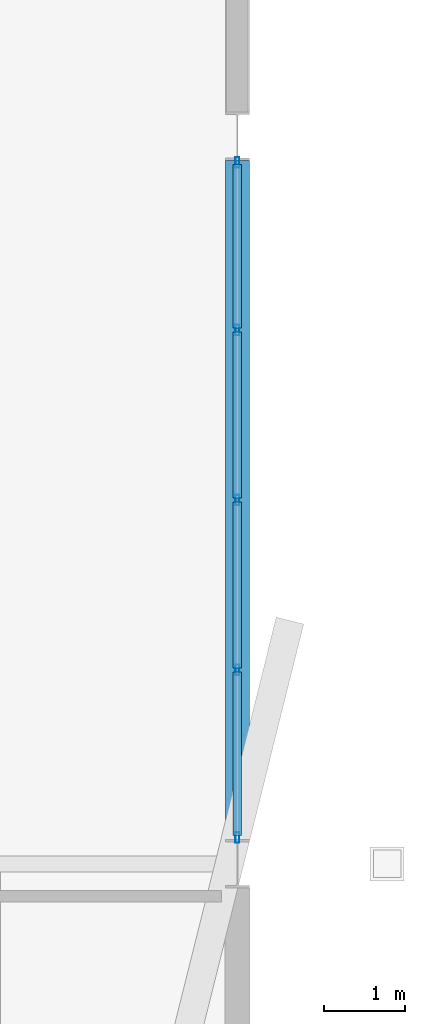
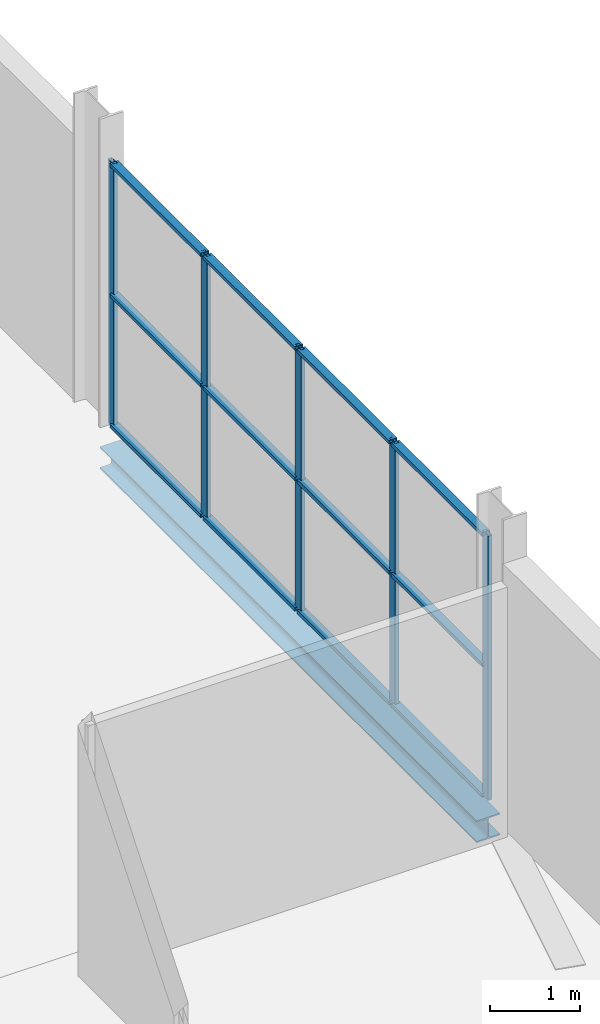
# One storey, part 94 of 132: 17 members, 1 beam, 1 element without a shape of its own.
"""IFC4 building model written with IfcOpenShell, lengths in metres."""

import ifcopenshell
import ifcopenshell.guid

model = None  # the IFC model being written
_history = None  # IfcOwnerHistory: only IFC2X3 demands one
_inside = {}  # id of a spatial element -> (the spatial element, [elements in it])
_under = {}  # id of a project, library or spatial element -> (it, [spatial elements below it])
_declared = {}  # id of a project -> (the project, [libraries it declares])
_typed = {}  # id of a type object -> (the type object, [elements of that type])
_made_of = {}  # id of a material, layer set ... -> (it, [elements and type objects made of it])


def new_model(schema):
    """Start an empty IFC model of exactly this schema.

    Asked for "IFC4X3", IfcOpenShell would pick the latest addendum, in which some entities
    have other attributes; the version numbers below select the first issue.
    IFC2X3 requires an IfcOwnerHistory on every rooted entity: one is made here for all.
    """
    global model, _history
    if schema == "IFC4X3":
        model = ifcopenshell.file(schema_version=(4, 3, 0, 0))
    else:
        model = ifcopenshell.file(schema=schema)
    _inside.clear()
    _under.clear()
    _declared.clear()
    _typed.clear()
    _made_of.clear()
    _history = None
    if model.schema == "IFC2X3":
        org = make("IfcOrganization", Name="unknown")
        user = make(
            "IfcPersonAndOrganization",
            ThePerson=make("IfcPerson", FamilyName="unknown"),
            TheOrganization=org,
        )
        app = make(
            "IfcApplication",
            ApplicationDeveloper=org,
            Version="unknown",
            ApplicationFullName="unknown",
            ApplicationIdentifier="unknown",
        )
        _history = make(
            "IfcOwnerHistory",
            OwningUser=user,
            OwningApplication=app,
            ChangeAction="ADDED",
            CreationDate=0,
        )
    return model


def make(cls, **values):
    """One entity of the class cls with the attributes given. An attribute that is None is left unset."""
    return model.create_entity(
        cls, **{name: value for name, value in values.items() if value is not None}
    )


def rooted(cls, **values):
    """An entity with a GlobalId (a new one), such as an element, a storey or a relation."""
    return make(cls, GlobalId=ifcopenshell.guid.new(), OwnerHistory=_history, **values)


def si_unit(unit_type, name, prefix=None):
    """IfcSIUnit, for example si_unit("LENGTHUNIT", "METRE", prefix="MILLI")."""
    return make("IfcSIUnit", UnitType=unit_type, Prefix=prefix, Name=name)


def assignment(units):
    """IfcUnitAssignment: the units of a project."""
    return None if units is None else make("IfcUnitAssignment", Units=units)


def point(xyz):
    """IfcCartesianPoint."""
    return None if xyz is None else make("IfcCartesianPoint", Coordinates=xyz)


def direction(xyz):
    """IfcDirection."""
    return None if xyz is None else make("IfcDirection", DirectionRatios=xyz)


def frame(location, z_axis=None, x_axis=None):
    """IfcAxis2Placement3D, a coordinate frame: its origin and axes. An axis left out is left unset."""
    return make(
        "IfcAxis2Placement3D",
        Location=point(location),
        Axis=direction(z_axis),
        RefDirection=direction(x_axis),
    )


def frame_2d(location, x_axis=None):
    """IfcAxis2Placement2D, a coordinate frame in the plane: its origin and x axis."""
    return make(
        "IfcAxis2Placement2D", Location=point(location), RefDirection=direction(x_axis)
    )


def origin():
    """The frame at (0, 0, 0) with its axes left unset."""
    return frame((0.0, 0.0, 0.0))


def origin_2d():
    """The frame at (0, 0) in the plane with its x axis left unset."""
    return frame_2d((0.0, 0.0))


def place(relative_to, where):
    """IfcLocalPlacement: puts the frame where relative to a parent placement (None: the world)."""
    return make(
        "IfcLocalPlacement", PlacementRelTo=relative_to, RelativePlacement=where
    )


def context(
    kind, dimensions, precision=None, world=None, true_north=None, identifier=None
):
    """IfcGeometricRepresentationContext, for example the 3D "Model" context."""
    return make(
        "IfcGeometricRepresentationContext",
        ContextIdentifier=identifier,
        ContextType=kind,
        CoordinateSpaceDimension=dimensions,
        Precision=precision,
        WorldCoordinateSystem=world,
        TrueNorth=true_north,
    )


def subcontext(parent, identifier, kind, view, scale=None):
    """IfcGeometricRepresentationSubContext, for example "Body" below "Model"."""
    return make(
        "IfcGeometricRepresentationSubContext",
        ContextIdentifier=identifier,
        ContextType=kind,
        ParentContext=parent,
        TargetScale=scale,
        TargetView=view,
    )


def project(units=None, contexts=None):
    """IfcProject with its units and contexts."""
    return rooted(
        "IfcProject",
        Name="project",
        RepresentationContexts=contexts,
        UnitsInContext=assignment(units),
    )


def spatial(cls, under=None, at=None, **own):
    """A site, building, storey or space (cls), placed at a placement, below another one or the project."""
    s = rooted(cls, ObjectPlacement=at, **own)
    if under is not None:
        _under.setdefault(under.id(), (under, []))[1].append(s)
    return s


def profile(cls, at=None, kind="AREA", **sizes):
    """A parametric profile (cls). Its sizes go by their IFC names, for example OverallWidth=200.0."""
    return make(cls, ProfileType=kind, Position=at, **sizes)


def hollow_rectangle(**sizes):
    """IfcRectangleHollowProfileDef."""
    return profile("IfcRectangleHollowProfileDef", **sizes)


def i_section(**sizes):
    """IfcIShapeProfileDef."""
    return profile("IfcIShapeProfileDef", **sizes)


def extrude(swept, where, along, depth):
    """IfcExtrudedAreaSolid: the profile swept, set in the frame where, extruded along a direction by depth."""
    return make(
        "IfcExtrudedAreaSolid",
        SweptArea=swept,
        Position=where,
        ExtrudedDirection=direction(along),
        Depth=depth,
    )


def shape(context_of_items, identifier, shape_type, items):
    """IfcShapeRepresentation: the items that make up one representation, for example the "Body"."""
    return make(
        "IfcShapeRepresentation",
        ContextOfItems=context_of_items,
        RepresentationIdentifier=identifier,
        RepresentationType=shape_type,
        Items=items,
    )


def material(Name=None, Category=None):
    """IfcMaterial."""
    return make("IfcMaterial", Name=Name, Category=Category)


def layer(
    of_material, thickness, ventilated=None, Name=None, Category=None, Priority=None
):
    """IfcMaterialLayer: one layer of a wall or slab, of a material (None: an air gap)."""
    return make(
        "IfcMaterialLayer",
        Material=of_material,
        LayerThickness=thickness,
        IsVentilated=ventilated,
        Name=Name,
        Category=Category,
        Priority=Priority,
    )


def layer_set(layers, Name=None):
    """IfcMaterialLayerSet."""
    return make("IfcMaterialLayerSet", MaterialLayers=layers, LayerSetName=Name)


def material_profile(
    of_material, cross_section, Name=None, Category=None, Priority=None
):
    """IfcMaterialProfile: a cross section and its material."""
    return make(
        "IfcMaterialProfile",
        Name=Name,
        Material=of_material,
        Profile=cross_section,
        Priority=Priority,
        Category=Category,
    )


def profile_set(profiles, Name=None, composite=None):
    """IfcMaterialProfileSet."""
    return make(
        "IfcMaterialProfileSet",
        Name=Name,
        MaterialProfiles=profiles,
        CompositeProfile=composite,
    )


def made_of(thing, what):
    """Note that an element or type object is made of a material, layer set ...; save() writes the relation."""
    if what is not None:
        _made_of.setdefault(what.id(), (what, []))[1].append(thing)
    return thing


def type_object(cls, material=None, **own):
    """A type object (cls), such as IfcWallType, which elements share."""
    return made_of(rooted(cls, **own), material)


def element(
    cls,
    number,
    at=None,
    inside=None,
    cuts=None,
    type_object=None,
    material=None,
    context=None,
    identifier="Body",
    shape_type=None,
    held_by="IfcProductDefinitionShape",
    body=None,
    shapes=None,
    **own,
):
    """One element of the class cls, such as IfcWall. Its Tag is "e" and its number.

    at: its placement. inside: the storey or other place that contains it. cuts: it is an
    opening in that element (IfcRelVoidsElement). A single representation is given by context,
    identifier, shape_type and body (its items); several are given by shapes. held_by: the class
    of the entity that holds the representations. save() writes the other relations.
    """
    e = rooted(cls, Tag="e%d" % number, ObjectPlacement=at, **own)
    if body is not None:
        shapes = [shape(context, identifier, shape_type, body)]
    if shapes is not None:
        e.Representation = make(held_by, Representations=shapes)
    if inside is not None:
        _inside.setdefault(inside.id(), (inside, []))[1].append(e)
    if cuts is not None:
        rooted(
            "IfcRelVoidsElement", RelatingBuildingElement=cuts, RelatedOpeningElement=e
        )
    if type_object is not None:
        _typed.setdefault(type_object.id(), (type_object, []))[1].append(e)
    return made_of(e, material)


def aggregate(whole, parts):
    """IfcRelAggregates: a whole, such as a stair, and the parts it consists of."""
    return rooted("IfcRelAggregates", RelatingObject=whole, RelatedObjects=parts)


def save(model, path):
    """Write the relations noted so far, then the file.

    IfcRelAggregates (storeys below a building ...), IfcRelContainedInSpatialStructure (elements
    in a storey), IfcRelDefinesByType, IfcRelAssociatesMaterial and IfcRelDeclares: one each for
    every whole, place, type object, material and project.
    """
    for whole, parts in _under.values():
        aggregate(whole, parts)
    for where, things in _inside.values():
        rooted(
            "IfcRelContainedInSpatialStructure",
            RelatedElements=things,
            RelatingStructure=where,
        )
    for kind, things in _typed.values():
        rooted("IfcRelDefinesByType", RelatedObjects=things, RelatingType=kind)
    for what, things in _made_of.values():
        rooted("IfcRelAssociatesMaterial", RelatedObjects=things, RelatingMaterial=what)
    for by, libraries in _declared.values():
        rooted("IfcRelDeclares", RelatingContext=by, RelatedDefinitions=libraries)
    model.write(path)


model = new_model("IFC4")

# Units and contexts
model_context = context("Model", 3, precision=1e-05, world=origin(), true_north=direction((0.0, 1.0)))
body_context = subcontext(model_context, "Body", "Model", "MODEL_VIEW")
ifc_project = project(units=[si_unit("LENGTHUNIT", "METRE"), si_unit("AREAUNIT", "SQUARE_METRE"), si_unit("VOLUMEUNIT", "CUBIC_METRE"), si_unit("PLANEANGLEUNIT", "RADIAN"), si_unit("MASSUNIT", "GRAM", prefix="KILO")], contexts=[model_context])

# Site, building, storey
site_placement = place(None, origin())
site = spatial("IfcSite", under=ifc_project, at=site_placement, CompositionType="ELEMENT")
building_placement = place(site_placement, origin())
building = spatial("IfcBuilding", under=site, at=building_placement, Name="Deido Ridge Mobility Hub", CompositionType="ELEMENT")
storey_placement = place(building_placement, frame((0.0, 0.0, 8.39990234375)))
storey = spatial("IfcBuildingStorey", under=building, at=storey_placement, Name="L02", CompositionType="ELEMENT", Elevation=8.39990234375)

# Curtain wall, members
ifc_material_1 = material(Name="Anodised aluminium EN AW-6063 T6", Category="aluminium")
ifc_layer = layer(ifc_material_1, 0.1650390625, Name="Anodised aluminium EN AW-6063 T6")
ifc_layer_set = layer_set([ifc_layer], Name="Anodised aluminium EN AW-6063 T6")
curtain_wall_type = type_object("IfcCurtainWallType", Name="CW-UF-1", PredefinedType="USERDEFINED", material=ifc_layer_set)
curtain_wall_placement = place(storey_placement, origin())
curtain_wall = element("IfcCurtainWall", 1, at=curtain_wall_placement, inside=storey, type_object=curtain_wall_type, Name="Unitised curtain wall CW1", ObjectType="UNITISED FACADE", PredefinedType="USERDEFINED")
ifc_material_profile_1 = material_profile(ifc_material_1, hollow_rectangle(XDim=0.050048828125, YDim=0.1298828125, WallThickness=0.00390625, at=origin_2d()), Name="RHS 50x130x4")
ifc_profile_set_1 = profile_set([ifc_material_profile_1], Name="Anodised aluminium EN AW-6063 T6")
member_type_1 = type_object("IfcMemberType", Name="MEM-MUL-50X130", PredefinedType="MULLION", material=ifc_profile_set_1)
member_1_placement = place(storey_placement, frame((180.0, 36.324951171875, 0.0), z_axis=(0.0, 0.0, 1.0), x_axis=(-1.0, 0.0, 0.0)))
member_1 = element("IfcMember", 2, at=member_1_placement, type_object=member_type_1, Name="CW1 mullion 1", PredefinedType="MULLION", context=body_context, shape_type="SweptSolid", body=[
    extrude(hollow_rectangle(XDim=0.050048828125, YDim=0.1298828125, WallThickness=0.00390625, at=origin_2d()), origin(), (0.0, 0.0, 1.0), 3.60009765625),
])
member_2_placement = place(storey_placement, frame((180.0, 38.39990234375, 0.0), z_axis=(0.0, 0.0, 1.0), x_axis=(-1.0, 0.0, 0.0)))
member_2 = element("IfcMember", 3, at=member_2_placement, type_object=member_type_1, Name="CW1 mullion 2", PredefinedType="MULLION", context=body_context, shape_type="SweptSolid", body=[
    extrude(hollow_rectangle(XDim=0.050048828125, YDim=0.1298828125, WallThickness=0.00390625, at=origin_2d()), origin(), (0.0, 0.0, 1.0), 3.60009765625),
])
member_3_placement = place(storey_placement, frame((180.0, 40.5, 0.0), z_axis=(0.0, 0.0, 1.0), x_axis=(-1.0, 0.0, 0.0)))
member_3 = element("IfcMember", 4, at=member_3_placement, type_object=member_type_1, Name="CW1 mullion 3", PredefinedType="MULLION", context=body_context, shape_type="SweptSolid", body=[
    extrude(hollow_rectangle(XDim=0.050048828125, YDim=0.1298828125, WallThickness=0.00390625, at=origin_2d()), origin(), (0.0, 0.0, 1.0), 3.60009765625),
])
member_4_placement = place(storey_placement, frame((180.0, 42.60009765625, 0.0), z_axis=(0.0, 0.0, 1.0), x_axis=(-1.0, 0.0, 0.0)))
member_4 = element("IfcMember", 5, at=member_4_placement, type_object=member_type_1, Name="CW1 mullion 4", PredefinedType="MULLION", context=body_context, shape_type="SweptSolid", body=[
    extrude(hollow_rectangle(XDim=0.050048828125, YDim=0.1298828125, WallThickness=0.00390625, at=origin_2d()), origin(), (0.0, 0.0, 1.0), 3.60009765625),
])
member_5_placement = place(storey_placement, frame((180.0, 44.675048828125, 0.0), z_axis=(0.0, 0.0, 1.0), x_axis=(-1.0, 0.0, 0.0)))
member_5 = element("IfcMember", 6, at=member_5_placement, type_object=member_type_1, Name="CW1 mullion 5", PredefinedType="MULLION", context=body_context, shape_type="SweptSolid", body=[
    extrude(hollow_rectangle(XDim=0.050048828125, YDim=0.1298828125, WallThickness=0.00390625, at=origin_2d()), origin(), (0.0, 0.0, 1.0), 3.60009765625),
])
ifc_material_profile_2 = material_profile(ifc_material_1, hollow_rectangle(XDim=0.10498046875, YDim=0.050048828125, WallThickness=0.00390625, at=origin_2d()), Name="RHS 105x50x4")
ifc_profile_set_2 = profile_set([ifc_material_profile_2], Name="Anodised aluminium EN AW-6063 T6")
member_type_2 = type_object("IfcMemberType", Name="MEM-TRN-105X50", PredefinedType="USERDEFINED", material=ifc_profile_set_2)
member_6_placement = place(storey_placement, frame((180.0, 36.35009765625, 0.025146484375), z_axis=(0.0, 1.0, 0.0), x_axis=(-1.0, 0.0, 0.0)))
member_6 = element("IfcMember", 7, at=member_6_placement, type_object=member_type_2, Name="CW1 transom 1.1", ObjectType="TRANSOM", PredefinedType="USERDEFINED", context=body_context, shape_type="SweptSolid", body=[
    extrude(hollow_rectangle(XDim=0.10498046875, YDim=0.050048828125, WallThickness=0.00390625, at=origin_2d()), origin(), (0.0, 0.0, 1.0), 2.02490234375),
])
member_7_placement = place(storey_placement, frame((180.0, 36.35009765625, 1.800048828125), z_axis=(0.0, 1.0, 0.0), x_axis=(-1.0, 0.0, 0.0)))
member_7 = element("IfcMember", 8, at=member_7_placement, type_object=member_type_2, Name="CW1 transom 1.2", ObjectType="TRANSOM", PredefinedType="USERDEFINED", context=body_context, shape_type="SweptSolid", body=[
    extrude(hollow_rectangle(XDim=0.10498046875, YDim=0.050048828125, WallThickness=0.00390625, at=origin_2d()), origin(), (0.0, 0.0, 1.0), 2.02490234375),
])
member_8_placement = place(storey_placement, frame((180.0, 36.35009765625, 3.5751953125), z_axis=(0.0, 1.0, 0.0), x_axis=(-1.0, 0.0, 0.0)))
member_8 = element("IfcMember", 9, at=member_8_placement, type_object=member_type_2, Name="CW1 transom 1.3", ObjectType="TRANSOM", PredefinedType="USERDEFINED", context=body_context, shape_type="SweptSolid", body=[
    extrude(hollow_rectangle(XDim=0.10498046875, YDim=0.050048828125, WallThickness=0.00390625, at=origin_2d()), origin(), (0.0, 0.0, 1.0), 2.02490234375),
])
member_9_placement = place(storey_placement, frame((180.0, 38.425048828125, 0.025146484375), z_axis=(0.0, 1.0, 0.0), x_axis=(-1.0, 0.0, 0.0)))
member_9 = element("IfcMember", 10, at=member_9_placement, type_object=member_type_2, Name="CW1 transom 2.1", ObjectType="TRANSOM", PredefinedType="USERDEFINED", context=body_context, shape_type="SweptSolid", body=[
    extrude(hollow_rectangle(XDim=0.10498046875, YDim=0.050048828125, WallThickness=0.00390625, at=origin_2d()), origin(), (0.0, 0.0, 1.0), 2.050048828125),
])
member_10_placement = place(storey_placement, frame((180.0, 38.425048828125, 1.800048828125), z_axis=(0.0, 1.0, 0.0), x_axis=(-1.0, 0.0, 0.0)))
member_10 = element("IfcMember", 11, at=member_10_placement, type_object=member_type_2, Name="CW1 transom 2.2", ObjectType="TRANSOM", PredefinedType="USERDEFINED", context=body_context, shape_type="SweptSolid", body=[
    extrude(hollow_rectangle(XDim=0.10498046875, YDim=0.050048828125, WallThickness=0.00390625, at=origin_2d()), origin(), (0.0, 0.0, 1.0), 2.050048828125),
])
member_11_placement = place(storey_placement, frame((180.0, 38.425048828125, 3.5751953125), z_axis=(0.0, 1.0, 0.0), x_axis=(-1.0, 0.0, 0.0)))
member_11 = element("IfcMember", 12, at=member_11_placement, type_object=member_type_2, Name="CW1 transom 2.3", ObjectType="TRANSOM", PredefinedType="USERDEFINED", context=body_context, shape_type="SweptSolid", body=[
    extrude(hollow_rectangle(XDim=0.10498046875, YDim=0.050048828125, WallThickness=0.00390625, at=origin_2d()), origin(), (0.0, 0.0, 1.0), 2.050048828125),
])
member_12_placement = place(storey_placement, frame((180.0, 40.52490234375, 0.025146484375), z_axis=(0.0, 1.0, 0.0), x_axis=(-1.0, 0.0, 0.0)))
member_12 = element("IfcMember", 13, at=member_12_placement, type_object=member_type_2, Name="CW1 transom 3.1", ObjectType="TRANSOM", PredefinedType="USERDEFINED", context=body_context, shape_type="SweptSolid", body=[
    extrude(hollow_rectangle(XDim=0.10498046875, YDim=0.050048828125, WallThickness=0.00390625, at=origin_2d()), origin(), (0.0, 0.0, 1.0), 2.050048828125),
])
member_13_placement = place(storey_placement, frame((180.0, 40.52490234375, 1.800048828125), z_axis=(0.0, 1.0, 0.0), x_axis=(-1.0, 0.0, 0.0)))
member_13 = element("IfcMember", 14, at=member_13_placement, type_object=member_type_2, Name="CW1 transom 3.2", ObjectType="TRANSOM", PredefinedType="USERDEFINED", context=body_context, shape_type="SweptSolid", body=[
    extrude(hollow_rectangle(XDim=0.10498046875, YDim=0.050048828125, WallThickness=0.00390625, at=origin_2d()), origin(), (0.0, 0.0, 1.0), 2.050048828125),
])
member_14_placement = place(storey_placement, frame((180.0, 40.52490234375, 3.5751953125), z_axis=(0.0, 1.0, 0.0), x_axis=(-1.0, 0.0, 0.0)))
member_14 = element("IfcMember", 15, at=member_14_placement, type_object=member_type_2, Name="CW1 transom 3.3", ObjectType="TRANSOM", PredefinedType="USERDEFINED", context=body_context, shape_type="SweptSolid", body=[
    extrude(hollow_rectangle(XDim=0.10498046875, YDim=0.050048828125, WallThickness=0.00390625, at=origin_2d()), origin(), (0.0, 0.0, 1.0), 2.050048828125),
])
member_15_placement = place(storey_placement, frame((180.0, 42.625, 0.025146484375), z_axis=(0.0, 1.0, 0.0), x_axis=(-1.0, 0.0, 0.0)))
member_15 = element("IfcMember", 16, at=member_15_placement, type_object=member_type_2, Name="CW1 transom 4.1", ObjectType="TRANSOM", PredefinedType="USERDEFINED", context=body_context, shape_type="SweptSolid", body=[
    extrude(hollow_rectangle(XDim=0.10498046875, YDim=0.050048828125, WallThickness=0.00390625, at=origin_2d()), origin(), (0.0, 0.0, 1.0), 2.02490234375),
])
member_16_placement = place(storey_placement, frame((180.0, 42.625, 1.800048828125), z_axis=(0.0, 1.0, 0.0), x_axis=(-1.0, 0.0, 0.0)))
member_16 = element("IfcMember", 17, at=member_16_placement, type_object=member_type_2, Name="CW1 transom 4.2", ObjectType="TRANSOM", PredefinedType="USERDEFINED", context=body_context, shape_type="SweptSolid", body=[
    extrude(hollow_rectangle(XDim=0.10498046875, YDim=0.050048828125, WallThickness=0.00390625, at=origin_2d()), origin(), (0.0, 0.0, 1.0), 2.02490234375),
])
member_17_placement = place(storey_placement, frame((180.0, 42.625, 3.5751953125), z_axis=(0.0, 1.0, 0.0), x_axis=(-1.0, 0.0, 0.0)))
member_17 = element("IfcMember", 18, at=member_17_placement, type_object=member_type_2, Name="CW1 transom 4.3", ObjectType="TRANSOM", PredefinedType="USERDEFINED", context=body_context, shape_type="SweptSolid", body=[
    extrude(hollow_rectangle(XDim=0.10498046875, YDim=0.050048828125, WallThickness=0.00390625, at=origin_2d()), origin(), (0.0, 0.0, 1.0), 2.02490234375),
])
aggregate(curtain_wall, [member_1, member_2, member_3, member_4, member_5, member_6, member_7, member_8, member_9, member_10, member_11, member_12, member_13, member_14, member_15, member_16, member_17])

# Beam
ifc_material_2 = material(Name="Steel S355J2 EN 10025-2", Category="steel")
ifc_material_profile_3 = material_profile(ifc_material_2, i_section(OverallWidth=0.300048828125, OverallDepth=0.300048828125, WebThickness=0.010986328125, FlangeThickness=0.01904296875, FilletRadius=0.027099609375, at=origin_2d()), Name="HEB 300")
ifc_profile_set_3 = profile_set([ifc_material_profile_3], Name="Steel S355J2 EN 10025-2")
beam_type = type_object("IfcBeamType", Name="SPD-HEB300", PredefinedType="SPANDREL", material=ifc_profile_set_3)
beam_placement = place(storey_placement, frame((180.0, 36.300048828125, -0.40478515625), z_axis=(0.0, 1.0, 0.0), x_axis=(-1.0, 0.0, 0.0)))
element("IfcBeam", 19, at=beam_placement, inside=storey, type_object=beam_type, Name="Floor beam SP1", PredefinedType="SPANDREL", context=body_context, shape_type="SweptSolid", body=[
    extrude(i_section(OverallWidth=0.300048828125, OverallDepth=0.300048828125, WebThickness=0.010986328125, FlangeThickness=0.01904296875, FilletRadius=0.027099609375, at=origin_2d()), origin(), (0.0, 0.0, 1.0), 8.39990234375),
])

save(model, "model.ifc")
